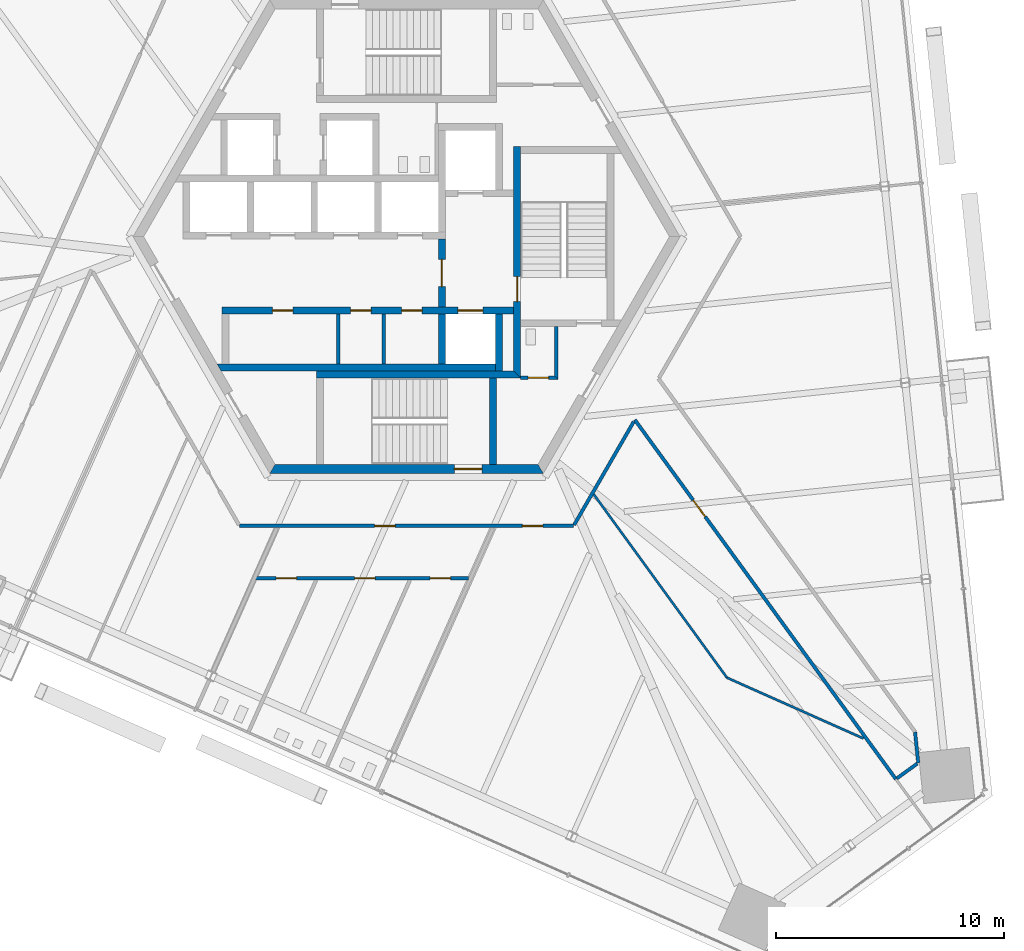
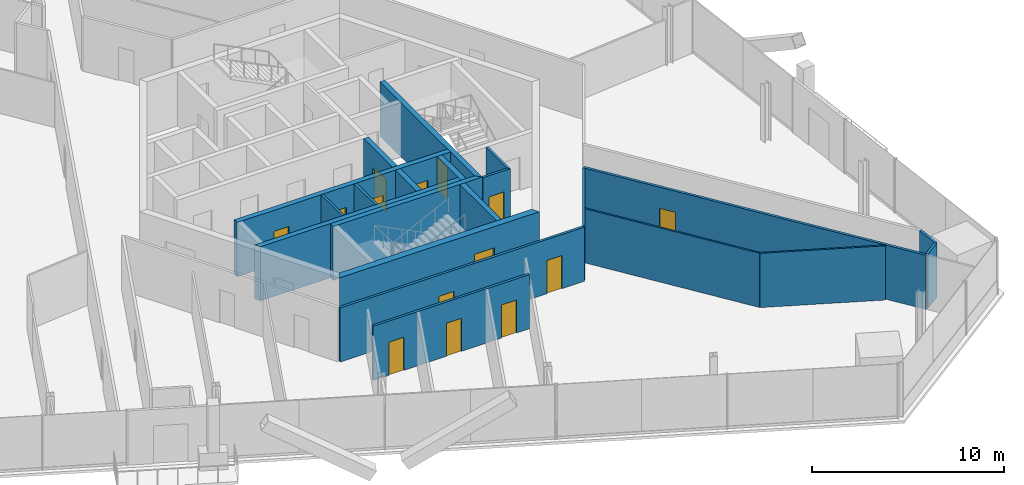
# One storey, part 12 of 19: 21 walls, 14 doors, 14 openings.
"""IFC4 building model written with IfcOpenShell, lengths in metres."""

from ifc_helpers import new_model, si_unit, direction, frame, frame_2d, origin, place, context, subcontext, project, spatial, polyline, rectangle, outline, extrude, source, transform, mapped, material, layer, layer_set, type_object, element, fill, save


model = new_model("IFC4")

# Units and contexts
model_context = context("Model", 3, precision=1e-05, world=origin(), true_north=direction((0.0, 1.0)))
body_context = subcontext(model_context, "Body", "Model", "MODEL_VIEW")
ifc_project = project(units=[si_unit("LENGTHUNIT", "METRE"), si_unit("AREAUNIT", "SQUARE_METRE"), si_unit("VOLUMEUNIT", "CUBIC_METRE"), si_unit("PLANEANGLEUNIT", "RADIAN"), si_unit("MASSUNIT", "GRAM", prefix="KILO")], contexts=[model_context])

# Site, building, storey
site_placement = place(None, origin())
site = spatial("IfcSite", under=ifc_project, at=site_placement, CompositionType="ELEMENT")
building_placement = place(site_placement, origin())
building = spatial("IfcBuilding", under=site, at=building_placement, Name="Triune Harvest Tower", CompositionType="ELEMENT")
storey_placement = place(building_placement, frame((0.0, 0.0, 76.5)))
storey = spatial("IfcBuildingStorey", under=building, at=storey_placement, Name="L18", CompositionType="ELEMENT", Elevation=76.5)

# Wall
ifc_material_1 = material(Name="Gypsum board on steel studs", Category="steel")
ifc_layer_1 = layer(ifc_material_1, 0.10009765625)
ifc_layer_set_1 = layer_set([ifc_layer_1], Name="Gypsum board on steel studs")
wall_type_1 = type_object("IfcWallType", Name="Partition 100 mm", PredefinedType="PARTITIONING", material=ifc_layer_set_1)
wall_1_placement = place(storey_placement, frame((14.05908203125, -19.3505859375, 0.0), z_axis=(0.0, 0.0, 1.0), x_axis=(0.913558164673, -0.406708101418, 0.0)))
element("IfcWall", 1, at=wall_1_placement, inside=storey, type_object=wall_type_1, Name="Partition L18 019", PredefinedType="PARTITIONING", context=body_context, shape_type="SweptSolid", body=[
    extrude(rectangle(XDim=6.560546875, YDim=0.10009765625, at=frame_2d((3.2802734375, 0.0))), origin(), (0.0, 0.0, 1.0), 3.43994140625),
])

# Wall, opening, door
ifc_material_2 = material(Name="Concrete 70 MPa", Category="concrete")
ifc_layer_2 = layer(ifc_material_2, 0.39990234375)
ifc_layer_set_2 = layer_set([ifc_layer_2], Name="Concrete 70 MPa")
wall_type_2 = type_object("IfcWallType", Name="Core wall 400", PredefinedType="SHEAR", material=ifc_layer_set_2)
shared_shape_1 = source(origin(), body_context, "Body", "SweptSolid", [
    extrude(outline(polyline([(-0.115478515625, -0.199951171875), (11.884521484375, -0.199951171875), (11.653564453125, 0.199951171875), (0.115478515625, 0.199951171875), (-0.115478515625, -0.199951171875)])), origin(), (0.0, 0.0, 1.0), 3.43994140625),
])
wall_2_placement = place(storey_placement, frame((-5.884521484375, -10.1923828125, 0.0), z_axis=(0.0, 0.0, 1.0), x_axis=(1.0, 0.0, 0.0)))
wall_2 = element("IfcWall", 2, at=wall_2_placement, inside=storey, type_object=wall_type_2, Name="Hexagon 4 wall", PredefinedType="SHEAR", context=body_context, shape_type="MappedRepresentation", body=[
    mapped(shared_shape_1, transform((0.0, 0.0, 0.0), scale=1.0)),
])
opening_1_placement = place(wall_2_placement, frame((7.984619140625, 0.0, 0.0)))
opening_1 = element("IfcOpeningElement", 3, at=opening_1_placement, cuts=wall_2, Name="Opening CD-S2P", PredefinedType="OPENING", context=body_context, shape_type="SweptSolid", body=[
    extrude(rectangle(XDim=1.199951171875, YDim=2.10009765625, at=frame_2d((0.60009765625, 1.050048828125))), frame((0.0, 0.2099609375, 0.0), z_axis=(0.0, -1.0, 0.0), x_axis=(1.0, 0.0, 0.0)), (0.0, 0.0, 1.0), 0.419921875),
])
ifc_material_3 = material(Name="Steel S235", Category="steel")
door_type_1 = type_object("IfcDoorType", Name="Stair door 1200 FD120", OperationType="SINGLE_SWING_LEFT", PredefinedType="DOOR", material=ifc_material_3)
door_1_placement = place(opening_1_placement, frame((1.199951171875, 0.0, 0.0), z_axis=(0.0, 0.0, 1.0), x_axis=(-1.0, 0.0, 0.0)))
door_1 = element("IfcDoor", 4, at=door_1_placement, inside=storey, type_object=door_type_1, Name="Door CD-S2P", OperationType="SINGLE_SWING_RIGHT", OverallHeight=2.10009765625, OverallWidth=1.199951171875, PredefinedType="DOOR", context=body_context, shape_type="SweptSolid", body=[
    extrude(rectangle(XDim=1.199951171875, YDim=2.10009765625, at=frame_2d((0.60009765625, 1.050048828125))), frame((0.0, 0.02490234375, 0.0), z_axis=(0.0, -1.0, 0.0), x_axis=(1.0, 0.0, 0.0)), (0.0, 0.0, 1.0), 0.050048828125),
])
fill(opening_1, door_1)

# Wall
ifc_material_4 = material(Name="Concrete 70 MPa", Category="concrete")
ifc_layer_3 = layer(ifc_material_4, 0.300048828125)
ifc_layer_set_3 = layer_set([ifc_layer_3], Name="Concrete 70 MPa")
wall_type_3 = type_object("IfcWallType", Name="Core wall 300", PredefinedType="SHEAR", material=ifc_layer_set_3)
shared_shape_2 = source(origin(), body_context, "Body", "SweptSolid", [
    extrude(rectangle(XDim=2.5, YDim=0.300048828125, at=frame_2d((1.25, 0.0))), origin(), (0.0, 0.0, 1.0), 3.43994140625),
])
wall_3_placement = place(storey_placement, frame((4.050048828125, -5.889892578125, 0.0), z_axis=(0.0, 0.0, 1.0), x_axis=(0.0, 1.0, 0.0)))
element("IfcWall", 5, at=wall_3_placement, inside=storey, type_object=wall_type_3, Name="Ff2 east wall", PredefinedType="SHEAR", context=body_context, shape_type="MappedRepresentation", body=[
    mapped(shared_shape_2, transform((0.0, 0.0, 0.0), scale=1.0)),
])

# Wall, opening, door
shared_shape_3 = source(origin(), body_context, "Body", "SweptSolid", [
    extrude(rectangle(XDim=3.0, YDim=0.300048828125, at=frame_2d((1.5, 0.0))), origin(), (0.0, 0.0, 1.0), 3.43994140625),
])
wall_4_placement = place(storey_placement, frame((1.550048828125, -3.090087890625, 0.0), z_axis=(0.0, 0.0, 1.0), x_axis=(0.0, 1.0, 0.0)))
wall_4 = element("IfcWall", 6, at=wall_4_placement, inside=storey, type_object=wall_type_3, Name="Ff lobby west wall", PredefinedType="SHEAR", context=body_context, shape_type="MappedRepresentation", body=[
    mapped(shared_shape_3, transform((0.0, 0.0, 0.0), scale=1.0)),
])
opening_2_placement = place(wall_4_placement, frame((0.89990234375, 0.0, 0.0)))
opening_2 = element("IfcOpeningElement", 7, at=opening_2_placement, cuts=wall_4, Name="Opening CD-FL", PredefinedType="OPENING", context=body_context, shape_type="SweptSolid", body=[
    extrude(rectangle(XDim=1.199951171875, YDim=2.10009765625, at=frame_2d((0.60009765625, 1.050048828125))), frame((0.0, 0.16015625, 0.0), z_axis=(0.0, -1.0, 0.0), x_axis=(1.0, 0.0, 0.0)), (0.0, 0.0, 1.0), 0.320068359375),
])
ifc_material_5 = material(Name="Steel S235", Category="steel")
door_type_2 = type_object("IfcDoorType", Name="Firefighters' lobby door 1200 FD120", OperationType="SINGLE_SWING_LEFT", PredefinedType="DOOR", material=ifc_material_5)
door_2_placement = place(opening_2_placement, frame((1.199951171875, 0.0, 0.0), z_axis=(0.0, 0.0, 1.0), x_axis=(-1.0, 0.0, 0.0)))
door_2 = element("IfcDoor", 8, at=door_2_placement, inside=storey, type_object=door_type_2, Name="Door CD-FL", OperationType="SINGLE_SWING_RIGHT", OverallHeight=2.10009765625, OverallWidth=1.199951171875, PredefinedType="DOOR", context=body_context, shape_type="SweptSolid", body=[
    extrude(rectangle(XDim=1.199951171875, YDim=2.10009765625, at=frame_2d((0.60009765625, 1.050048828125))), frame((0.0, 0.02490234375, 0.0), z_axis=(0.0, -1.0, 0.0), x_axis=(1.0, 0.0, 0.0)), (0.0, 0.0, 1.0), 0.050048828125),
])
fill(opening_2, door_2)

# Wall, openings, doors
shared_shape_4 = source(origin(), body_context, "Body", "SweptSolid", [
    extrude(rectangle(XDim=12.800048828125, YDim=0.300048828125, at=frame_2d((6.39990234375, 0.0))), origin(), (0.0, 0.0, 1.0), 3.43994140625),
])
wall_5_placement = place(storey_placement, frame((-8.10009765625, -3.239990234375, 0.0), z_axis=(0.0, 0.0, 1.0), x_axis=(1.0, 0.0, 0.0)))
wall_5 = element("IfcWall", 9, at=wall_5_placement, inside=storey, type_object=wall_type_3, Name="South front wall", PredefinedType="SHEAR", context=body_context, shape_type="MappedRepresentation", body=[
    mapped(shared_shape_4, transform((0.0, 0.0, 0.0), scale=1.0)),
])
opening_3_placement = place(wall_5_placement, frame((2.21240234375, 0.0, 0.0)))
opening_3 = element("IfcOpeningElement", 10, at=opening_3_placement, cuts=wall_5, Name="Opening CD-RS1", PredefinedType="OPENING", context=body_context, shape_type="SweptSolid", body=[
    extrude(rectangle(XDim=0.89990234375, YDim=2.10009765625, at=frame_2d((0.449951171875, 1.050048828125))), frame((0.0, 0.16015625, 0.0), z_axis=(0.0, -1.0, 0.0), x_axis=(1.0, 0.0, 0.0)), (0.0, 0.0, 1.0), 0.320068359375),
])
opening_4_placement = place(wall_5_placement, frame((5.64990234375, 0.0, 0.0)))
opening_4 = element("IfcOpeningElement", 11, at=opening_4_placement, cuts=wall_5, Name="Opening CD-RS2", PredefinedType="OPENING", context=body_context, shape_type="SweptSolid", body=[
    extrude(rectangle(XDim=0.89990234375, YDim=2.10009765625, at=frame_2d((0.449951171875, 1.050048828125))), frame((0.0, 0.16015625, 0.0), z_axis=(0.0, -1.0, 0.0), x_axis=(1.0, 0.0, 0.0)), (0.0, 0.0, 1.0), 0.320068359375),
])
opening_5_placement = place(wall_5_placement, frame((7.887451171875, 0.0, 0.0)))
opening_5 = element("IfcOpeningElement", 12, at=opening_5_placement, cuts=wall_5, Name="Opening CD-RS3", PredefinedType="OPENING", context=body_context, shape_type="SweptSolid", body=[
    extrude(rectangle(XDim=0.89990234375, YDim=2.10009765625, at=frame_2d((0.449951171875, 1.050048828125))), frame((0.0, 0.16015625, 0.0), z_axis=(0.0, -1.0, 0.0), x_axis=(1.0, 0.0, 0.0)), (0.0, 0.0, 1.0), 0.320068359375),
])
opening_6_placement = place(wall_5_placement, frame((10.35009765625, 0.0, 0.0)))
opening_6 = element("IfcOpeningElement", 13, at=opening_6_placement, cuts=wall_5, Name="Opening LD-FF2-18", PredefinedType="OPENING", context=body_context, shape_type="SweptSolid", body=[
    extrude(rectangle(XDim=1.10009765625, YDim=2.10009765625, at=frame_2d((0.550048828125, 1.050048828125))), frame((0.0, 0.16015625, 0.0), z_axis=(0.0, -1.0, 0.0), x_axis=(1.0, 0.0, 0.0)), (0.0, 0.0, 1.0), 0.320068359375),
])
ifc_material_6 = material(Name="Stainless steel AISI 304", Category="steel")
door_type_3 = type_object("IfcDoorType", Name="Landing door 1100 x 2100", OperationType="DOUBLE_DOOR_SLIDING", PredefinedType="DOOR", material=ifc_material_6)
door_3_placement = place(opening_6_placement, origin())
door_3 = element("IfcDoor", 14, at=door_3_placement, inside=storey, type_object=door_type_3, Name="Door LD-FF2-18", OperationType="DOUBLE_DOOR_SLIDING", OverallHeight=2.10009765625, OverallWidth=1.10009765625, PredefinedType="DOOR", context=body_context, shape_type="SweptSolid", body=[
    extrude(rectangle(XDim=1.10009765625, YDim=2.10009765625, at=frame_2d((0.550048828125, 1.050048828125))), frame((0.0, 0.02490234375, 0.0), z_axis=(0.0, -1.0, 0.0), x_axis=(1.0, 0.0, 0.0)), (0.0, 0.0, 1.0), 0.050048828125),
])
fill(opening_6, door_3)
ifc_material_7 = material(Name="Steel S235", Category="steel")
door_type_4 = type_object("IfcDoorType", Name="Riser door 900 FD120", OperationType="SINGLE_SWING_LEFT", PredefinedType="DOOR", material=ifc_material_7)
door_4_placement = place(opening_3_placement, origin())
door_4 = element("IfcDoor", 15, at=door_4_placement, inside=storey, type_object=door_type_4, Name="Door CD-RS1", OperationType="SINGLE_SWING_LEFT", OverallHeight=2.10009765625, OverallWidth=0.89990234375, PredefinedType="DOOR", context=body_context, shape_type="SweptSolid", body=[
    extrude(rectangle(XDim=0.89990234375, YDim=2.10009765625, at=frame_2d((0.449951171875, 1.050048828125))), frame((0.0, 0.02490234375, 0.0), z_axis=(0.0, -1.0, 0.0), x_axis=(1.0, 0.0, 0.0)), (0.0, 0.0, 1.0), 0.050048828125),
])
fill(opening_3, door_4)
door_5_placement = place(opening_4_placement, origin())
door_5 = element("IfcDoor", 16, at=door_5_placement, inside=storey, type_object=door_type_4, Name="Door CD-RS2", OperationType="SINGLE_SWING_LEFT", OverallHeight=2.10009765625, OverallWidth=0.89990234375, PredefinedType="DOOR", context=body_context, shape_type="SweptSolid", body=[
    extrude(rectangle(XDim=0.89990234375, YDim=2.10009765625, at=frame_2d((0.449951171875, 1.050048828125))), frame((0.0, 0.02490234375, 0.0), z_axis=(0.0, -1.0, 0.0), x_axis=(1.0, 0.0, 0.0)), (0.0, 0.0, 1.0), 0.050048828125),
])
fill(opening_4, door_5)
door_6_placement = place(opening_5_placement, origin())
door_6 = element("IfcDoor", 17, at=door_6_placement, inside=storey, type_object=door_type_4, Name="Door CD-RS3", OperationType="SINGLE_SWING_LEFT", OverallHeight=2.10009765625, OverallWidth=0.89990234375, PredefinedType="DOOR", context=body_context, shape_type="SweptSolid", body=[
    extrude(rectangle(XDim=0.89990234375, YDim=2.10009765625, at=frame_2d((0.449951171875, 1.050048828125))), frame((0.0, 0.02490234375, 0.0), z_axis=(0.0, -1.0, 0.0), x_axis=(1.0, 0.0, 0.0)), (0.0, 0.0, 1.0), 0.050048828125),
])
fill(opening_5, door_6)

# Walls
shared_shape_5 = source(origin(), body_context, "Body", "SweptSolid", [
    extrude(outline(polyline([(12.0, -0.14990234375), (-0.039794921875, -0.14990234375), (-0.212890625, 0.14990234375), (12.0, 0.14990234375), (12.0, -0.14990234375)])), origin(), (0.0, 0.0, 1.0), 3.43994140625),
])
wall_6_placement = place(storey_placement, frame((-8.10009765625, -5.739990234375, 0.0), z_axis=(0.0, 0.0, 1.0), x_axis=(1.0, 0.0, 0.0)))
element("IfcWall", 18, at=wall_6_placement, inside=storey, type_object=wall_type_3, Name="South back wall", PredefinedType="SHEAR", context=body_context, shape_type="MappedRepresentation", body=[
    mapped(shared_shape_5, transform((0.0, 0.0, 0.0), scale=1.0)),
])
shared_shape_6 = source(origin(), body_context, "Body", "SweptSolid", [
    extrude(rectangle(XDim=2.2001953125, YDim=0.300048828125, at=frame_2d((1.10009765625, 0.0))), origin(), (0.0, 0.0, 1.0), 3.43994140625),
])
wall_7_placement = place(storey_placement, frame((1.550048828125, -5.590087890625, 0.0), z_axis=(0.0, 0.0, 1.0), x_axis=(0.0, 1.0, 0.0)))
element("IfcWall", 19, at=wall_7_placement, inside=storey, type_object=wall_type_3, Name="Ff2 west wall", PredefinedType="SHEAR", context=body_context, shape_type="MappedRepresentation", body=[
    mapped(shared_shape_6, transform((0.0, 0.0, 0.0), scale=1.0)),
])

# Wall, opening, door
shared_shape_7 = source(origin(), body_context, "Body", "SweptSolid", [
    extrude(outline(polyline([(-0.14990234375, -0.14990234375), (9.989990234375, -0.14990234375), (9.989990234375, 0.14990234375), (0.14990234375, 0.14990234375), (-0.14990234375, -0.14990234375)])), origin(), (0.0, 0.0, 1.0), 3.43994140625),
])
wall_8_placement = place(storey_placement, frame((4.85009765625, -6.0400390625, 0.0), z_axis=(0.0, 0.0, 1.0), x_axis=(0.0, 1.0, 0.0)))
wall_8 = element("IfcWall", 20, at=wall_8_placement, inside=storey, type_object=wall_type_3, Name="Stair e west wall", PredefinedType="SHEAR", context=body_context, shape_type="MappedRepresentation", body=[
    mapped(shared_shape_7, transform((0.0, 0.0, 0.0), scale=1.0)),
])
opening_7_placement = place(wall_8_placement, frame((3.18994140625, 0.0, 0.0)))
opening_7 = element("IfcOpeningElement", 21, at=opening_7_placement, cuts=wall_8, Name="Opening CD-S3L", PredefinedType="OPENING", context=body_context, shape_type="SweptSolid", body=[
    extrude(rectangle(XDim=1.10009765625, YDim=2.10009765625, at=frame_2d((0.550048828125, 1.050048828125))), frame((0.0, 0.16015625, 0.0), z_axis=(0.0, -1.0, 0.0), x_axis=(1.0, 0.0, 0.0)), (0.0, 0.0, 1.0), 0.320068359375),
])
ifc_material_8 = material(Name="Steel S235", Category="steel")
door_type_5 = type_object("IfcDoorType", Name="Stair door 1100 FD120", OperationType="SINGLE_SWING_LEFT", PredefinedType="DOOR", material=ifc_material_8)
door_7_placement = place(opening_7_placement, frame((1.10009765625, 0.0, 0.0), z_axis=(0.0, 0.0, 1.0), x_axis=(-1.0, 0.0, 0.0)))
door_7 = element("IfcDoor", 22, at=door_7_placement, inside=storey, type_object=door_type_5, Name="Door CD-S3L", OperationType="SINGLE_SWING_RIGHT", OverallHeight=2.10009765625, OverallWidth=1.10009765625, PredefinedType="DOOR", context=body_context, shape_type="SweptSolid", body=[
    extrude(rectangle(XDim=1.10009765625, YDim=2.10009765625, at=frame_2d((0.550048828125, 1.050048828125))), frame((0.0, 0.02490234375, 0.0), z_axis=(0.0, -1.0, 0.0), x_axis=(1.0, 0.0, 0.0)), (0.0, 0.0, 1.0), 0.050048828125),
])
fill(opening_7, door_7)

# Walls
shared_shape_8 = source(origin(), body_context, "Body", "SweptSolid", [
    extrude(outline(polyline([(0.0, -0.14990234375), (8.949951171875, -0.14990234375), (8.64990234375, 0.14990234375), (0.0, 0.14990234375), (0.0, -0.14990234375)])), origin(), (0.0, 0.0, 1.0), 3.43994140625),
])
wall_9_placement = place(storey_placement, frame((-3.949951171875, -6.0400390625, 0.0), z_axis=(0.0, 0.0, 1.0), x_axis=(1.0, 0.0, 0.0)))
element("IfcWall", 23, at=wall_9_placement, inside=storey, type_object=wall_type_3, Name="Stair s north wall", PredefinedType="SHEAR", context=body_context, shape_type="MappedRepresentation", body=[
    mapped(shared_shape_8, transform((0.0, 0.0, 0.0), scale=1.0)),
])
shared_shape_9 = source(origin(), body_context, "Body", "SweptSolid", [
    extrude(outline(polyline([(3.800048828125, -0.14990234375), (-0.00439453125, -0.14990234375), (-0.00439453125, 0.14990234375), (3.800048828125, 0.14990234375), (3.800048828125, -0.14990234375)])), origin(), (0.0, 0.0, 1.0), 3.43994140625),
])
wall_10_placement = place(storey_placement, frame((3.800048828125, -9.989990234375, 0.0), z_axis=(0.0, 0.0, 1.0), x_axis=(0.0, 1.0, 0.0)))
element("IfcWall", 24, at=wall_10_placement, inside=storey, type_object=wall_type_3, Name="Stair s east wall", PredefinedType="SHEAR", context=body_context, shape_type="MappedRepresentation", body=[
    mapped(shared_shape_9, transform((0.0, 0.0, 0.0), scale=1.0)),
])

# Wall, opening, door
ifc_material_9 = material(Name="Concrete masonry unit", Category="masonry")
ifc_layer_4 = layer(ifc_material_9, 0.14990234375)
ifc_layer_set_4 = layer_set([ifc_layer_4], Name="Concrete masonry unit")
wall_type_4 = type_object("IfcWallType", Name="Block partition 150 unrated", PredefinedType="PARTITIONING", material=ifc_layer_set_4)
shared_shape_10 = source(origin(), body_context, "Body", "SweptSolid", [
    extrude(outline(polyline([(0.0, -0.074951171875), (1.64990234375, -0.074951171875), (1.5, 0.074951171875), (0.0, 0.074951171875), (0.0, -0.074951171875)])), origin(), (0.0, 0.0, 1.0), 3.43994140625),
])
wall_11_placement = place(storey_placement, frame((5.0, -6.18994140625, 0.0), z_axis=(0.0, 0.0, 1.0), x_axis=(1.0, 0.0, 0.0)))
wall_11 = element("IfcWall", 25, at=wall_11_placement, inside=storey, type_object=wall_type_4, Name="Wc acc south wall", PredefinedType="PARTITIONING", context=body_context, shape_type="MappedRepresentation", body=[
    mapped(shared_shape_10, transform((0.0, 0.0, 0.0), scale=1.0)),
])
opening_8_placement = place(wall_11_placement, frame((0.33740234375, 0.0, 0.0)))
opening_8 = element("IfcOpeningElement", 26, at=opening_8_placement, cuts=wall_11, Name="Opening CD-WA", PredefinedType="OPENING", context=body_context, shape_type="SweptSolid", body=[
    extrude(rectangle(XDim=0.89990234375, YDim=2.10009765625, at=frame_2d((0.449951171875, 1.050048828125))), frame((0.0, 0.0849609375, 0.0), z_axis=(0.0, -1.0, 0.0), x_axis=(1.0, 0.0, 0.0)), (0.0, 0.0, 1.0), 0.169921875),
])
ifc_material_10 = material(Name="Timber C24", Category="wood")
door_type_6 = type_object("IfcDoorType", Name="WC door 900", OperationType="SINGLE_SWING_LEFT", PredefinedType="DOOR", material=ifc_material_10)
door_8_placement = place(opening_8_placement, origin())
door_8 = element("IfcDoor", 27, at=door_8_placement, inside=storey, type_object=door_type_6, Name="Door CD-WA", OperationType="SINGLE_SWING_LEFT", OverallHeight=2.10009765625, OverallWidth=0.89990234375, PredefinedType="DOOR", context=body_context, shape_type="SweptSolid", body=[
    extrude(rectangle(XDim=0.89990234375, YDim=2.10009765625, at=frame_2d((0.449951171875, 1.050048828125))), frame((0.0, 0.02490234375, 0.0), z_axis=(0.0, -1.0, 0.0), x_axis=(1.0, 0.0, 0.0)), (0.0, 0.0, 1.0), 0.050048828125),
])
fill(opening_8, door_8)

# Walls
shared_shape_11 = source(origin(), body_context, "Body", "SweptSolid", [
    extrude(outline(polyline([(-0.074951171875, -0.074951171875), (2.239990234375, -0.074951171875), (2.239990234375, 0.074951171875), (0.074951171875, 0.074951171875), (-0.074951171875, -0.074951171875)])), origin(), (0.0, 0.0, 1.0), 3.43994140625),
])
wall_12_placement = place(storey_placement, frame((6.574951171875, -6.18994140625, 0.0), z_axis=(0.0, 0.0, 1.0), x_axis=(0.0, 1.0, 0.0)))
element("IfcWall", 28, at=wall_12_placement, inside=storey, type_object=wall_type_4, Name="Wc acc east wall", PredefinedType="PARTITIONING", context=body_context, shape_type="MappedRepresentation", body=[
    mapped(shared_shape_11, transform((0.0, 0.0, 0.0), scale=1.0)),
])
ifc_material_11 = material(Name="Concrete masonry unit", Category="masonry")
ifc_layer_5 = layer(ifc_material_11, 0.14990234375)
ifc_layer_set_5 = layer_set([ifc_layer_5], Name="Concrete masonry unit")
wall_type_5 = type_object("IfcWallType", Name="Block partition 150", PredefinedType="PARTITIONING", material=ifc_layer_set_5)
shared_shape_12 = source(origin(), body_context, "Body", "SweptSolid", [
    extrude(rectangle(XDim=2.2001953125, YDim=0.14990234375, at=frame_2d((1.10009765625, 0.0))), origin(), (0.0, 0.0, 1.0), 3.43994140625),
])
for number, where, z_axis, x_axis, name in (
    (29, (-3.0, -5.590087890625, 0.0), (0.0, 0.0, 1.0), (0.0, 1.0, 0.0), "Row s part 1 wall"),
    (30, (-1.0, -5.590087890625, 0.0), (0.0, 0.0, 1.0), (0.0, 1.0, 0.0), "Row s part 2 wall"),
):
    element("IfcWall", number, at=place(storey_placement, frame(where, z_axis=z_axis, x_axis=x_axis)), inside=storey, type_object=wall_type_5, Name=name, PredefinedType="PARTITIONING", context=body_context, shape_type="MappedRepresentation", body=[
        mapped(shared_shape_12, transform((0.0, 0.0, 0.0), scale=1.0)),
    ])
ifc_material_12 = material(Name="Gypsum board on steel studs", Category="steel")
ifc_layer_6 = layer(ifc_material_12, 0.14990234375)
ifc_layer_set_6 = layer_set([ifc_layer_6], Name="Gypsum board on steel studs")
wall_type_6 = type_object("IfcWallType", Name="Fire Partition 150 mm", PredefinedType="PARTITIONING", material=ifc_layer_set_6)
shared_shape_13 = source(origin(), body_context, "Body", "SweptSolid", [
    extrude(rectangle(XDim=1.352294921875, YDim=0.14990234375, at=frame_2d((0.67626953125, 0.0))), origin(), (0.0, 0.0, 1.0), 3.43994140625),
])
wall_13_placement = place(storey_placement, frame((22.3125, -21.74267578125, 0.0), z_axis=(0.0, 0.0, 1.0), x_axis=(0.104525029296, -0.994522256287, 0.0)))
element("IfcWall", 31, at=wall_13_placement, inside=storey, type_object=wall_type_6, Name="Partition L18 002", PredefinedType="PARTITIONING", context=body_context, shape_type="MappedRepresentation", body=[
    mapped(shared_shape_13, transform((0.0, 0.0, 0.0), scale=1.0)),
])

# Wall, openings, doors
shared_shape_14 = source(origin(), body_context, "Body", "SweptSolid", [
    extrude(rectangle(XDim=14.65576171875, YDim=0.14990234375, at=frame_2d((7.327880859375, 0.0))), origin(), (0.0, 0.0, 1.0), 3.43994140625),
])
wall_14_placement = place(storey_placement, frame((-7.327880859375, -12.6923828125, 0.0), z_axis=(0.0, 0.0, 1.0), x_axis=(1.0, 0.0, 0.0)))
wall_14 = element("IfcWall", 32, at=wall_14_placement, inside=storey, type_object=wall_type_6, Name="Partition L18 021", PredefinedType="PARTITIONING", context=body_context, shape_type="MappedRepresentation", body=[
    mapped(shared_shape_14, transform((0.0, 0.0, 0.0), scale=1.0)),
])
opening_9_placement = place(wall_14_placement, frame((5.927001953125, 0.0, 0.0)))
opening_9 = element("IfcOpeningElement", 33, at=opening_9_placement, cuts=wall_14, Name="Opening L18-016", PredefinedType="OPENING", context=body_context, shape_type="SweptSolid", body=[
    extrude(rectangle(XDim=0.89990234375, YDim=2.10009765625, at=frame_2d((0.449951171875, 1.050048828125))), frame((0.0, 0.0849609375, 0.0), z_axis=(0.0, -1.0, 0.0), x_axis=(1.0, 0.0, 0.0)), (0.0, 0.0, 1.0), 0.169921875),
])
opening_10_placement = place(wall_14_placement, frame((12.408935546875, 0.0, 0.0)))
opening_10 = element("IfcOpeningElement", 34, at=opening_10_placement, cuts=wall_14, Name="Opening L18-020", PredefinedType="OPENING", context=body_context, shape_type="SweptSolid", body=[
    extrude(rectangle(XDim=0.89990234375, YDim=2.10009765625, at=frame_2d((0.449951171875, 1.050048828125))), frame((0.0, 0.0849609375, 0.0), z_axis=(0.0, -1.0, 0.0), x_axis=(1.0, 0.0, 0.0)), (0.0, 0.0, 1.0), 0.169921875),
])
ifc_material_13 = material(Name="Timber and steel door set", Category="steel")
door_type_7 = type_object("IfcDoorType", Name="Single leaf door FD30 left hand 900 x 2100", OperationType="SINGLE_SWING_LEFT", PredefinedType="DOOR", material=ifc_material_13)
door_9_placement = place(opening_10_placement, origin())
door_9 = element("IfcDoor", 35, at=door_9_placement, inside=storey, type_object=door_type_7, Name="Door L18-020 Office 18.20", OperationType="SINGLE_SWING_LEFT", OverallHeight=2.10009765625, OverallWidth=0.89990234375, PredefinedType="DOOR", context=body_context, shape_type="SweptSolid", body=[
    extrude(rectangle(XDim=0.89990234375, YDim=2.10009765625, at=frame_2d((0.449951171875, 1.050048828125))), frame((0.0, 0.02490234375, 0.0), z_axis=(0.0, -1.0, 0.0), x_axis=(1.0, 0.0, 0.0)), (0.0, 0.0, 1.0), 0.050048828125),
])
fill(opening_10, door_9)
ifc_material_14 = material(Name="Timber and steel door set", Category="steel")
door_type_8 = type_object("IfcDoorType", Name="Single leaf door FD30 right hand 900 x 2100", OperationType="SINGLE_SWING_RIGHT", PredefinedType="DOOR", material=ifc_material_14)
door_10_placement = place(opening_9_placement, origin())
door_10 = element("IfcDoor", 36, at=door_10_placement, inside=storey, type_object=door_type_8, Name="Door L18-016 WC lobby 18.16", OperationType="SINGLE_SWING_RIGHT", OverallHeight=2.10009765625, OverallWidth=0.89990234375, PredefinedType="DOOR", context=body_context, shape_type="SweptSolid", body=[
    extrude(rectangle(XDim=0.89990234375, YDim=2.10009765625, at=frame_2d((0.449951171875, 1.050048828125))), frame((0.0, 0.02490234375, 0.0), z_axis=(0.0, -1.0, 0.0), x_axis=(1.0, 0.0, 0.0)), (0.0, 0.0, 1.0), 0.050048828125),
])
fill(opening_9, door_10)

# Wall
shared_shape_15 = source(origin(), body_context, "Body", "SweptSolid", [
    extrude(rectangle(XDim=10.0244140625, YDim=0.10009765625, at=frame_2d((5.01220703125, 0.0))), origin(), (0.0, 0.0, 1.0), 3.43994140625),
])
wall_15_placement = place(storey_placement, frame((8.16650390625, -11.239990234375, 0.0), z_axis=(0.0, 0.0, 1.0), x_axis=(0.587780634403, -0.809020349448, 0.0)))
element("IfcWall", 37, at=wall_15_placement, inside=storey, type_object=wall_type_1, Name="Partition L18 007", PredefinedType="PARTITIONING", context=body_context, shape_type="MappedRepresentation", body=[
    mapped(shared_shape_15, transform((0.0, 0.0, 0.0), scale=1.0)),
])

# Wall, opening, door
shared_shape_16 = source(origin(), body_context, "Body", "SweptSolid", [
    extrude(rectangle(XDim=19.48828125, YDim=0.14990234375, at=frame_2d((9.744140625, 0.0))), origin(), (0.0, 0.0, 1.0), 3.43994140625),
])
wall_16_placement = place(storey_placement, frame((10.016845703125, -8.034912109375, 0.0), z_axis=(0.0, 0.0, 1.0), x_axis=(0.587767898483, -0.809029602371, 0.0)))
wall_16 = element("IfcWall", 38, at=wall_16_placement, inside=storey, type_object=wall_type_6, Name="Partition L18 009", PredefinedType="PARTITIONING", context=body_context, shape_type="MappedRepresentation", body=[
    mapped(shared_shape_16, transform((0.0, 0.0, 0.0), scale=1.0)),
])
opening_11_placement = place(wall_16_placement, frame((4.349853515625, 0.0, 0.0)))
opening_11 = element("IfcOpeningElement", 39, at=opening_11_placement, cuts=wall_16, Name="Opening L18-001", PredefinedType="OPENING", context=body_context, shape_type="SweptSolid", body=[
    extrude(rectangle(XDim=0.89990234375, YDim=2.10009765625, at=frame_2d((0.449951171875, 1.050048828125))), frame((0.0, 0.0849609375, 0.0), z_axis=(0.0, -1.0, 0.0), x_axis=(1.0, 0.0, 0.0)), (0.0, 0.0, 1.0), 0.169921875),
])
door_11_placement = place(opening_11_placement, origin())
door_11 = element("IfcDoor", 40, at=door_11_placement, inside=storey, type_object=door_type_8, Name="Door L18-001 Dry Store Room 18.01", OperationType="SINGLE_SWING_RIGHT", OverallHeight=2.10009765625, OverallWidth=0.89990234375, PredefinedType="DOOR", context=body_context, shape_type="SweptSolid", body=[
    extrude(rectangle(XDim=0.89990234375, YDim=2.10009765625, at=frame_2d((0.449951171875, 1.050048828125))), frame((0.0, 0.02490234375, 0.0), z_axis=(0.0, -1.0, 0.0), x_axis=(1.0, 0.0, 0.0)), (0.0, 0.0, 1.0), 0.050048828125),
])
fill(opening_11, door_11)

# Wall, openings, doors
shared_shape_17 = source(origin(), body_context, "Body", "SweptSolid", [
    extrude(rectangle(XDim=9.391845703125, YDim=0.14990234375, at=frame_2d((4.69580078125, 0.0))), origin(), (0.0, 0.0, 1.0), 3.43994140625),
])
wall_17_placement = place(storey_placement, frame((-6.6748046875, -14.9921875, 0.0), z_axis=(0.0, 0.0, 1.0), x_axis=(1.0, 0.0, 0.0)))
wall_17 = element("IfcWall", 41, at=wall_17_placement, inside=storey, type_object=wall_type_6, Name="Partition L18 020", PredefinedType="PARTITIONING", context=body_context, shape_type="MappedRepresentation", body=[
    mapped(shared_shape_17, transform((0.0, 0.0, 0.0), scale=1.0)),
])
opening_12_placement = place(wall_17_placement, frame((0.949951171875, 0.0, 0.0)))
opening_12 = element("IfcOpeningElement", 42, at=opening_12_placement, cuts=wall_17, Name="Opening L18-017", PredefinedType="OPENING", context=body_context, shape_type="SweptSolid", body=[
    extrude(rectangle(XDim=0.89990234375, YDim=2.10009765625, at=frame_2d((0.449951171875, 1.050048828125))), frame((0.0, 0.0849609375, 0.0), z_axis=(0.0, -1.0, 0.0), x_axis=(1.0, 0.0, 0.0)), (0.0, 0.0, 1.0), 0.169921875),
])
opening_13_placement = place(wall_17_placement, frame((4.391845703125, 0.0, 0.0)))
opening_13 = element("IfcOpeningElement", 43, at=opening_13_placement, cuts=wall_17, Name="Opening L18-018", PredefinedType="OPENING", context=body_context, shape_type="SweptSolid", body=[
    extrude(rectangle(XDim=0.89990234375, YDim=2.10009765625, at=frame_2d((0.449951171875, 1.050048828125))), frame((0.0, 0.0849609375, 0.0), z_axis=(0.0, -1.0, 0.0), x_axis=(1.0, 0.0, 0.0)), (0.0, 0.0, 1.0), 0.169921875),
])
opening_14_placement = place(wall_17_placement, frame((7.704833984375, 0.0, 0.0)))
opening_14 = element("IfcOpeningElement", 44, at=opening_14_placement, cuts=wall_17, Name="Opening L18-019", PredefinedType="OPENING", context=body_context, shape_type="SweptSolid", body=[
    extrude(rectangle(XDim=0.89990234375, YDim=2.10009765625, at=frame_2d((0.449951171875, 1.050048828125))), frame((0.0, 0.0849609375, 0.0), z_axis=(0.0, -1.0, 0.0), x_axis=(1.0, 0.0, 0.0)), (0.0, 0.0, 1.0), 0.169921875),
])
door_12_placement = place(opening_13_placement, origin())
door_12 = element("IfcDoor", 45, at=door_12_placement, inside=storey, type_object=door_type_7, Name="Door L18-018 Men's WC 18.18", OperationType="SINGLE_SWING_LEFT", OverallHeight=2.10009765625, OverallWidth=0.89990234375, PredefinedType="DOOR", context=body_context, shape_type="SweptSolid", body=[
    extrude(rectangle(XDim=0.89990234375, YDim=2.10009765625, at=frame_2d((0.449951171875, 1.050048828125))), frame((0.0, 0.02490234375, 0.0), z_axis=(0.0, -1.0, 0.0), x_axis=(1.0, 0.0, 0.0)), (0.0, 0.0, 1.0), 0.050048828125),
])
fill(opening_13, door_12)
door_13_placement = place(opening_14_placement, origin())
door_13 = element("IfcDoor", 46, at=door_13_placement, inside=storey, type_object=door_type_7, Name="Door L18-019 Accessible WC 18.19", OperationType="SINGLE_SWING_LEFT", OverallHeight=2.10009765625, OverallWidth=0.89990234375, PredefinedType="DOOR", context=body_context, shape_type="SweptSolid", body=[
    extrude(rectangle(XDim=0.89990234375, YDim=2.10009765625, at=frame_2d((0.449951171875, 1.050048828125))), frame((0.0, 0.02490234375, 0.0), z_axis=(0.0, -1.0, 0.0), x_axis=(1.0, 0.0, 0.0)), (0.0, 0.0, 1.0), 0.050048828125),
])
fill(opening_14, door_13)
door_14_placement = place(opening_12_placement, origin())
door_14 = element("IfcDoor", 47, at=door_14_placement, inside=storey, type_object=door_type_8, Name="Door L18-017 Women's WC 18.17", OperationType="SINGLE_SWING_RIGHT", OverallHeight=2.10009765625, OverallWidth=0.89990234375, PredefinedType="DOOR", context=body_context, shape_type="SweptSolid", body=[
    extrude(rectangle(XDim=0.89990234375, YDim=2.10009765625, at=frame_2d((0.449951171875, 1.050048828125))), frame((0.0, 0.02490234375, 0.0), z_axis=(0.0, -1.0, 0.0), x_axis=(1.0, 0.0, 0.0)), (0.0, 0.0, 1.0), 0.050048828125),
])
fill(opening_12, door_14)

# Walls
shared_shape_18 = source(origin(), body_context, "Body", "SweptSolid", [
    extrude(rectangle(XDim=1.11376953125, YDim=0.14990234375, at=frame_2d((0.556884765625, 0.0))), origin(), (0.0, 0.0, 1.0), 3.43994140625),
])
wall_18_placement = place(storey_placement, frame((21.51220703125, -23.771728515625, 0.0), z_axis=(0.0, 0.0, 1.0), x_axis=(0.809086668959, 0.5876893415, 0.0)))
element("IfcWall", 48, at=wall_18_placement, inside=storey, type_object=wall_type_6, Name="Partition L18 026", PredefinedType="PARTITIONING", context=body_context, shape_type="MappedRepresentation", body=[
    mapped(shared_shape_18, transform((0.0, 0.0, 0.0), scale=1.0)),
])
shared_shape_19 = source(origin(), body_context, "Body", "SweptSolid", [
    extrude(rectangle(XDim=5.22802734375, YDim=0.14990234375, at=frame_2d((2.614013671875, 0.0))), origin(), (0.0, 0.0, 1.0), 3.43994140625),
])
wall_19_placement = place(storey_placement, frame((7.352783203125, -12.64892578125, 0.0), z_axis=(0.0, 0.0, 1.0), x_axis=(0.500001374964, 0.866024609947, 0.0)))
element("IfcWall", 49, at=wall_19_placement, inside=storey, type_object=wall_type_6, Name="Partition L18 030", PredefinedType="PARTITIONING", context=body_context, shape_type="MappedRepresentation", body=[
    mapped(shared_shape_19, transform((0.0, 0.0, 0.0), scale=1.0)),
])

save(model, "model.ifc")
